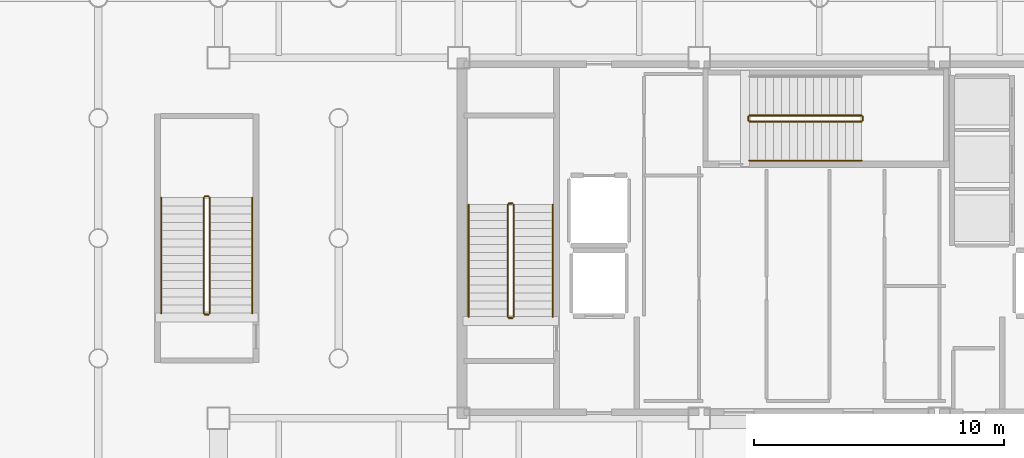
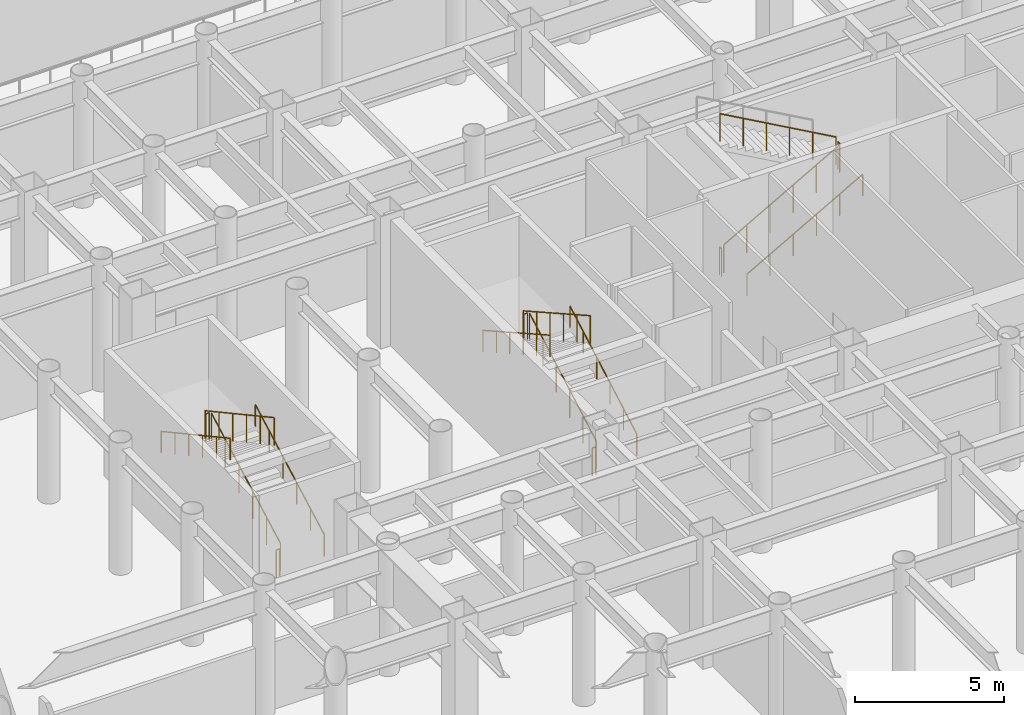
# One storey, part 13 of 16: 17 railings.
"""IFC4 building model written with IfcOpenShell, lengths in metres."""

from ifc_helpers import new_model, si_unit, direction, frame, origin, origin_2d, place, context, subcontext, project, spatial, circle, extrude, material, layer, layer_set, type_object, element, save


model = new_model("IFC4")

# Units and contexts
model_context = context("Model", 3, precision=1e-05, world=origin(), true_north=direction((0.0, 1.0)))
body_context = subcontext(model_context, "Body", "Model", "MODEL_VIEW")
ifc_project = project(units=[si_unit("LENGTHUNIT", "METRE"), si_unit("AREAUNIT", "SQUARE_METRE"), si_unit("VOLUMEUNIT", "CUBIC_METRE"), si_unit("PLANEANGLEUNIT", "RADIAN"), si_unit("MASSUNIT", "GRAM", prefix="KILO")], contexts=[model_context])

# Site, building, storey
site_placement = place(None, origin())
site = spatial("IfcSite", under=ifc_project, at=site_placement, CompositionType="ELEMENT")
building_placement = place(site_placement, origin())
building = spatial("IfcBuilding", under=site, at=building_placement, Name="Kallvorn Hotel Tower", CompositionType="ELEMENT")
storey_placement = place(building_placement, frame((0.0, 0.0, -5.39990234375)))
storey = spatial("IfcBuildingStorey", under=building, at=storey_placement, Name="B1", CompositionType="ELEMENT", Elevation=-5.39990234375)

# Railings
ifc_material_1 = material(Name="Brushed stainless-steel tubular railing", Category="steel")
ifc_layer_1 = layer(ifc_material_1, 0.050048828125)
ifc_layer_set_1 = layer_set([ifc_layer_1], Name="RL_STAIR_GUARD")
railing_type_1 = type_object("IfcRailingType", Name="RL_STAIR_GUARD", PredefinedType="GUARDRAIL", material=ifc_layer_set_1)
railing_1_placement = place(storey_placement, frame((-12.2099609375, -3.139892578125, 0.179931640625)))
element("IfcRailing", 1, at=railing_1_placement, inside=storey, type_object=railing_type_1, Name="B1 ST1 stair guard 1", PredefinedType="GUARDRAIL", context=body_context, shape_type="SweptSolid", body=[
    extrude(circle(Radius=0.02392578125, at=origin_2d()), frame((0.0, 0.0, 1.1259765625), z_axis=(0.0, 0.871573000172, 0.490265749743), x_axis=(-1.0, 0.0, 0.0)), (0.0, 0.0, 1.0), 5.14013671875),
    extrude(circle(Radius=0.02099609375, at=origin_2d()), origin(), (0.0, 0.0, 1.0), 1.101806640625),
    extrude(circle(Radius=0.02099609375, at=origin_2d()), frame((0.0, 0.89599609375, 0.50390625)), (0.0, 0.0, 1.0), 1.101806640625),
    extrude(circle(Radius=0.02099609375, at=origin_2d()), frame((0.0, 1.7919921875, 1.008056640625)), (0.0, 0.0, 1.0), 1.101806640625),
    extrude(circle(Radius=0.02099609375, at=origin_2d()), frame((0.0, 2.68798828125, 1.511962890625)), (0.0, 0.0, 1.0), 1.101806640625),
    extrude(circle(Radius=0.02099609375, at=origin_2d()), frame((0.0, 3.583984375, 2.01611328125)), (0.0, 0.0, 1.0), 1.101806640625),
    extrude(circle(Radius=0.02099609375, at=origin_2d()), frame((0.0, 4.47998046875, 2.52001953125)), (0.0, 0.0, 1.0), 1.101806640625),
])
railing_2_placement = place(storey_placement, frame((-12.260009765625, 1.389892578125, 2.699951171875)))
element("IfcRailing", 2, at=railing_2_placement, inside=storey, type_object=railing_type_1, Name="B1 ST1 stair guard 2", PredefinedType="GUARDRAIL", context=body_context, shape_type="SweptSolid", body=[
    extrude(circle(Radius=0.02392578125, at=origin_2d()), frame((0.0, 0.0, 1.1259765625), z_axis=(-1.0, 0.0, 0.0), x_axis=(0.0, -1.0, 0.0)), (0.0, 0.0, 1.0), 0.139892578125),
    extrude(circle(Radius=0.02099609375, at=origin_2d()), origin(), (0.0, 0.0, 1.0), 1.101806640625),
    extrude(circle(Radius=0.02099609375, at=origin_2d()), frame((-0.139892578125, 0.0, 0.0)), (0.0, 0.0, 1.0), 1.101806640625),
])
railing_3_placement = place(storey_placement, frame((-12.449951171875, 1.340087890625, 2.8798828125)))
element("IfcRailing", 3, at=railing_3_placement, inside=storey, type_object=railing_type_1, Name="B1 ST1 stair guard 3", PredefinedType="GUARDRAIL", context=body_context, shape_type="SweptSolid", body=[
    extrude(circle(Radius=0.02392578125, at=origin_2d()), frame((0.0, 0.0, 1.1259765625), z_axis=(0.0, -0.871573000172, 0.490265749743), x_axis=(1.0, 0.0, 0.0)), (0.0, 0.0, 1.0), 5.14013671875),
    extrude(circle(Radius=0.02099609375, at=origin_2d()), origin(), (0.0, 0.0, 1.0), 1.101806640625),
    extrude(circle(Radius=0.02099609375, at=origin_2d()), frame((0.0, -0.89599609375, 0.50390625)), (0.0, 0.0, 1.0), 1.101806640625),
    extrude(circle(Radius=0.02099609375, at=origin_2d()), frame((0.0, -1.7919921875, 1.008056640625)), (0.0, 0.0, 1.0), 1.101806640625),
    extrude(circle(Radius=0.02099609375, at=origin_2d()), frame((0.0, -2.68798828125, 1.511962890625)), (0.0, 0.0, 1.0), 1.101806640625),
    extrude(circle(Radius=0.02099609375, at=origin_2d()), frame((0.0, -3.583984375, 2.01611328125)), (0.0, 0.0, 1.0), 1.101806640625),
    extrude(circle(Radius=0.02099609375, at=origin_2d()), frame((0.0, -4.47998046875, 2.52001953125)), (0.0, 0.0, 1.0), 1.101806640625),
])
railing_4_placement = place(storey_placement, frame((-12.260009765625, -3.18994140625, 0.0)))
element("IfcRailing", 4, at=railing_4_placement, inside=storey, type_object=railing_type_1, Name="B1 ST1 stair guard 4", PredefinedType="GUARDRAIL", context=body_context, shape_type="SweptSolid", body=[
    extrude(circle(Radius=0.02392578125, at=origin_2d()), frame((0.0, 0.0, 1.1259765625), z_axis=(-1.0, 0.0, 0.0), x_axis=(0.0, -1.0, 0.0)), (0.0, 0.0, 1.0), 0.139892578125),
    extrude(circle(Radius=0.02099609375, at=origin_2d()), origin(), (0.0, 0.0, 1.0), 1.101806640625),
    extrude(circle(Radius=0.02099609375, at=origin_2d()), frame((-0.139892578125, 0.0, 0.0)), (0.0, 0.0, 1.0), 1.101806640625),
])
railing_5_placement = place(storey_placement, frame((-2.7900390625, 4.659912109375, 0.179931640625)))
element("IfcRailing", 5, at=railing_5_placement, inside=storey, type_object=railing_type_1, Name="B1 ST3 stair guard 1", PredefinedType="GUARDRAIL", context=body_context, shape_type="SweptSolid", body=[
    extrude(circle(Radius=0.02392578125, at=origin_2d()), frame((0.0, 0.0, 1.1259765625), z_axis=(0.871573000172, 0.0, 0.490265749743), x_axis=(0.0, 1.0, 0.0)), (0.0, 0.0, 1.0), 5.14013671875),
    extrude(circle(Radius=0.02099609375, at=origin_2d()), origin(), (0.0, 0.0, 1.0), 1.101806640625),
    extrude(circle(Radius=0.02099609375, at=origin_2d()), frame((0.89599609375, 0.0, 0.50390625)), (0.0, 0.0, 1.0), 1.101806640625),
    extrude(circle(Radius=0.02099609375, at=origin_2d()), frame((1.7919921875, 0.0, 1.008056640625)), (0.0, 0.0, 1.0), 1.101806640625),
    extrude(circle(Radius=0.02099609375, at=origin_2d()), frame((2.68798828125, 0.0, 1.511962890625)), (0.0, 0.0, 1.0), 1.101806640625),
    extrude(circle(Radius=0.02099609375, at=origin_2d()), frame((3.583984375, 0.0, 2.01611328125)), (0.0, 0.0, 1.0), 1.101806640625),
    extrude(circle(Radius=0.02099609375, at=origin_2d()), frame((4.47998046875, 0.0, 2.52001953125)), (0.0, 0.0, 1.0), 1.101806640625),
])
railing_6_placement = place(storey_placement, frame((1.739990234375, 4.7099609375, 2.699951171875)))
element("IfcRailing", 6, at=railing_6_placement, inside=storey, type_object=railing_type_1, Name="B1 ST3 stair guard 2", PredefinedType="GUARDRAIL", context=body_context, shape_type="SweptSolid", body=[
    extrude(circle(Radius=0.02392578125, at=origin_2d()), frame((0.0, 0.0, 1.1259765625), z_axis=(0.0, 1.0, 0.0), x_axis=(-1.0, 0.0, 0.0)), (0.0, 0.0, 1.0), 0.14013671875),
    extrude(circle(Radius=0.02099609375, at=origin_2d()), origin(), (0.0, 0.0, 1.0), 1.101806640625),
    extrude(circle(Radius=0.02099609375, at=origin_2d()), frame((0.0, 0.14013671875, 0.0)), (0.0, 0.0, 1.0), 1.101806640625),
])
railing_7_placement = place(storey_placement, frame((1.68994140625, 4.89990234375, 2.8798828125)))
element("IfcRailing", 7, at=railing_7_placement, inside=storey, type_object=railing_type_1, Name="B1 ST3 stair guard 3", PredefinedType="GUARDRAIL", context=body_context, shape_type="SweptSolid", body=[
    extrude(circle(Radius=0.02392578125, at=origin_2d()), frame((0.0, 0.0, 1.1259765625), z_axis=(-0.871573000172, 0.0, 0.490265749743), x_axis=(0.0, -1.0, 0.0)), (0.0, 0.0, 1.0), 5.14013671875),
    extrude(circle(Radius=0.02099609375, at=origin_2d()), origin(), (0.0, 0.0, 1.0), 1.101806640625),
    extrude(circle(Radius=0.02099609375, at=origin_2d()), frame((-0.89599609375, 0.0, 0.50390625)), (0.0, 0.0, 1.0), 1.101806640625),
    extrude(circle(Radius=0.02099609375, at=origin_2d()), frame((-1.7919921875, 0.0, 1.008056640625)), (0.0, 0.0, 1.0), 1.101806640625),
    extrude(circle(Radius=0.02099609375, at=origin_2d()), frame((-2.68798828125, 0.0, 1.511962890625)), (0.0, 0.0, 1.0), 1.101806640625),
    extrude(circle(Radius=0.02099609375, at=origin_2d()), frame((-3.583984375, 0.0, 2.01611328125)), (0.0, 0.0, 1.0), 1.101806640625),
    extrude(circle(Radius=0.02099609375, at=origin_2d()), frame((-4.47998046875, 0.0, 2.52001953125)), (0.0, 0.0, 1.0), 1.101806640625),
])
railing_8_placement = place(storey_placement, frame((-2.840087890625, 4.7099609375, 0.0)))
element("IfcRailing", 8, at=railing_8_placement, inside=storey, type_object=railing_type_1, Name="B1 ST3 stair guard 4", PredefinedType="GUARDRAIL", context=body_context, shape_type="SweptSolid", body=[
    extrude(circle(Radius=0.02392578125, at=origin_2d()), frame((0.0, 0.0, 1.1259765625), z_axis=(0.0, 1.0, 0.0), x_axis=(-1.0, 0.0, 0.0)), (0.0, 0.0, 1.0), 0.14013671875),
    extrude(circle(Radius=0.02099609375, at=origin_2d()), origin(), (0.0, 0.0, 1.0), 1.101806640625),
    extrude(circle(Radius=0.02099609375, at=origin_2d()), frame((0.0, 0.14013671875, 0.0)), (0.0, 0.0, 1.0), 1.101806640625),
])
railing_9_placement = place(storey_placement, frame((-24.35009765625, -3.0, 0.179931640625)))
element("IfcRailing", 9, at=railing_9_placement, inside=storey, type_object=railing_type_1, Name="B1 ST4 stair guard 1", PredefinedType="GUARDRAIL", context=body_context, shape_type="SweptSolid", body=[
    extrude(circle(Radius=0.02392578125, at=origin_2d()), frame((0.0, 0.0, 1.1259765625), z_axis=(0.0, 0.877899118682, 0.478845630049), x_axis=(-1.0, 0.0, 0.0)), (0.0, 0.0, 1.0), 5.2626953125),
    extrude(circle(Radius=0.02099609375, at=origin_2d()), origin(), (0.0, 0.0, 1.0), 1.101806640625),
    extrude(circle(Radius=0.02099609375, at=origin_2d()), frame((0.0, 0.924072265625, 0.50390625)), (0.0, 0.0, 1.0), 1.101806640625),
    extrude(circle(Radius=0.02099609375, at=origin_2d()), frame((0.0, 1.84814453125, 1.008056640625)), (0.0, 0.0, 1.0), 1.101806640625),
    extrude(circle(Radius=0.02099609375, at=origin_2d()), frame((0.0, 2.77197265625, 1.511962890625)), (0.0, 0.0, 1.0), 1.101806640625),
    extrude(circle(Radius=0.02099609375, at=origin_2d()), frame((0.0, 3.696044921875, 2.01611328125)), (0.0, 0.0, 1.0), 1.101806640625),
    extrude(circle(Radius=0.02099609375, at=origin_2d()), frame((0.0, 4.6201171875, 2.52001953125)), (0.0, 0.0, 1.0), 1.101806640625),
])
railing_10_placement = place(storey_placement, frame((-24.39990234375, 1.669921875, 2.699951171875)))
element("IfcRailing", 10, at=railing_10_placement, inside=storey, type_object=railing_type_1, Name="B1 ST4 stair guard 2", PredefinedType="GUARDRAIL", context=body_context, shape_type="SweptSolid", body=[
    extrude(circle(Radius=0.02392578125, at=origin_2d()), frame((0.0, 0.0, 1.1259765625), z_axis=(-1.0, 0.0, 0.0), x_axis=(0.0, -1.0, 0.0)), (0.0, 0.0, 1.0), 0.14013671875),
    extrude(circle(Radius=0.02099609375, at=origin_2d()), origin(), (0.0, 0.0, 1.0), 1.101806640625),
    extrude(circle(Radius=0.02099609375, at=origin_2d()), frame((-0.14013671875, 0.0, 0.0)), (0.0, 0.0, 1.0), 1.101806640625),
])
railing_11_placement = place(storey_placement, frame((-24.590087890625, 1.6201171875, 2.8798828125)))
element("IfcRailing", 11, at=railing_11_placement, inside=storey, type_object=railing_type_1, Name="B1 ST4 stair guard 3", PredefinedType="GUARDRAIL", context=body_context, shape_type="SweptSolid", body=[
    extrude(circle(Radius=0.02392578125, at=origin_2d()), frame((0.0, 0.0, 1.1259765625), z_axis=(0.0, -0.877899118682, 0.478845630049), x_axis=(1.0, 0.0, 0.0)), (0.0, 0.0, 1.0), 5.2626953125),
    extrude(circle(Radius=0.02099609375, at=origin_2d()), origin(), (0.0, 0.0, 1.0), 1.101806640625),
    extrude(circle(Radius=0.02099609375, at=origin_2d()), frame((0.0, -0.924072265625, 0.50390625)), (0.0, 0.0, 1.0), 1.101806640625),
    extrude(circle(Radius=0.02099609375, at=origin_2d()), frame((0.0, -1.84814453125, 1.008056640625)), (0.0, 0.0, 1.0), 1.101806640625),
    extrude(circle(Radius=0.02099609375, at=origin_2d()), frame((0.0, -2.77197265625, 1.511962890625)), (0.0, 0.0, 1.0), 1.101806640625),
    extrude(circle(Radius=0.02099609375, at=origin_2d()), frame((0.0, -3.696044921875, 2.01611328125)), (0.0, 0.0, 1.0), 1.101806640625),
    extrude(circle(Radius=0.02099609375, at=origin_2d()), frame((0.0, -4.6201171875, 2.52001953125)), (0.0, 0.0, 1.0), 1.101806640625),
])
railing_12_placement = place(storey_placement, frame((-24.39990234375, -3.050048828125, 0.0)))
element("IfcRailing", 12, at=railing_12_placement, inside=storey, type_object=railing_type_1, Name="B1 ST4 stair guard 4", PredefinedType="GUARDRAIL", context=body_context, shape_type="SweptSolid", body=[
    extrude(circle(Radius=0.02392578125, at=origin_2d()), frame((0.0, 0.0, 1.1259765625), z_axis=(-1.0, 0.0, 0.0), x_axis=(0.0, -1.0, 0.0)), (0.0, 0.0, 1.0), 0.14013671875),
    extrude(circle(Radius=0.02099609375, at=origin_2d()), origin(), (0.0, 0.0, 1.0), 1.101806640625),
    extrude(circle(Radius=0.02099609375, at=origin_2d()), frame((-0.14013671875, 0.0, 0.0)), (0.0, 0.0, 1.0), 1.101806640625),
])
ifc_material_2 = material(Name="Brushed stainless-steel tubular railing", Category="steel")
ifc_layer_2 = layer(ifc_material_2, 0.050048828125)
ifc_layer_set_2 = layer_set([ifc_layer_2], Name="RL_STAIR_HAND")
railing_type_2 = type_object("IfcRailingType", Name="RL_STAIR_HAND", PredefinedType="HANDRAIL", material=ifc_layer_set_2)
railing_13_placement = place(storey_placement, frame((-10.64990234375, -3.139892578125, 0.179931640625)))
element("IfcRailing", 13, at=railing_13_placement, inside=storey, type_object=railing_type_2, Name="B1 ST1 stair handrail 1", PredefinedType="HANDRAIL", context=body_context, shape_type="SweptSolid", body=[
    extrude(circle(Radius=0.02392578125, at=origin_2d()), frame((0.0, 0.0, 0.8759765625), z_axis=(0.0, 0.871573000172, 0.490265749743), x_axis=(-1.0, 0.0, 0.0)), (0.0, 0.0, 1.0), 5.14013671875),
    extrude(circle(Radius=0.02099609375, at=origin_2d()), origin(), (0.0, 0.0, 1.0), 0.851806640625),
    extrude(circle(Radius=0.02099609375, at=origin_2d()), frame((0.0, 0.89599609375, 0.50390625)), (0.0, 0.0, 1.0), 0.851806640625),
    extrude(circle(Radius=0.02099609375, at=origin_2d()), frame((0.0, 1.7919921875, 1.008056640625)), (0.0, 0.0, 1.0), 0.851806640625),
    extrude(circle(Radius=0.02099609375, at=origin_2d()), frame((0.0, 2.68798828125, 1.511962890625)), (0.0, 0.0, 1.0), 0.851806640625),
    extrude(circle(Radius=0.02099609375, at=origin_2d()), frame((0.0, 3.583984375, 2.01611328125)), (0.0, 0.0, 1.0), 0.851806640625),
    extrude(circle(Radius=0.02099609375, at=origin_2d()), frame((0.0, 4.47998046875, 2.52001953125)), (0.0, 0.0, 1.0), 0.851806640625),
])
railing_14_placement = place(storey_placement, frame((-14.010009765625, 1.340087890625, 2.8798828125)))
element("IfcRailing", 14, at=railing_14_placement, inside=storey, type_object=railing_type_2, Name="B1 ST1 stair handrail 2", PredefinedType="HANDRAIL", context=body_context, shape_type="SweptSolid", body=[
    extrude(circle(Radius=0.02392578125, at=origin_2d()), frame((0.0, 0.0, 0.8759765625), z_axis=(0.0, -0.871573000172, 0.490265749743), x_axis=(1.0, 0.0, 0.0)), (0.0, 0.0, 1.0), 5.14013671875),
    extrude(circle(Radius=0.02099609375, at=origin_2d()), origin(), (0.0, 0.0, 1.0), 0.851806640625),
    extrude(circle(Radius=0.02099609375, at=origin_2d()), frame((0.0, -0.89599609375, 0.50390625)), (0.0, 0.0, 1.0), 0.851806640625),
    extrude(circle(Radius=0.02099609375, at=origin_2d()), frame((0.0, -1.7919921875, 1.008056640625)), (0.0, 0.0, 1.0), 0.851806640625),
    extrude(circle(Radius=0.02099609375, at=origin_2d()), frame((0.0, -2.68798828125, 1.511962890625)), (0.0, 0.0, 1.0), 0.851806640625),
    extrude(circle(Radius=0.02099609375, at=origin_2d()), frame((0.0, -3.583984375, 2.01611328125)), (0.0, 0.0, 1.0), 0.851806640625),
    extrude(circle(Radius=0.02099609375, at=origin_2d()), frame((0.0, -4.47998046875, 2.52001953125)), (0.0, 0.0, 1.0), 0.851806640625),
])
railing_15_placement = place(storey_placement, frame((-2.7900390625, 3.10009765625, 0.179931640625)))
element("IfcRailing", 15, at=railing_15_placement, inside=storey, type_object=railing_type_2, Name="B1 ST3 stair handrail 1", PredefinedType="HANDRAIL", context=body_context, shape_type="SweptSolid", body=[
    extrude(circle(Radius=0.02392578125, at=origin_2d()), frame((0.0, 0.0, 0.8759765625), z_axis=(0.871573000172, 0.0, 0.490265749743), x_axis=(0.0, 1.0, 0.0)), (0.0, 0.0, 1.0), 5.14013671875),
    extrude(circle(Radius=0.02099609375, at=origin_2d()), origin(), (0.0, 0.0, 1.0), 0.851806640625),
    extrude(circle(Radius=0.02099609375, at=origin_2d()), frame((0.89599609375, 0.0, 0.50390625)), (0.0, 0.0, 1.0), 0.851806640625),
    extrude(circle(Radius=0.02099609375, at=origin_2d()), frame((1.7919921875, 0.0, 1.008056640625)), (0.0, 0.0, 1.0), 0.851806640625),
    extrude(circle(Radius=0.02099609375, at=origin_2d()), frame((2.68798828125, 0.0, 1.511962890625)), (0.0, 0.0, 1.0), 0.851806640625),
    extrude(circle(Radius=0.02099609375, at=origin_2d()), frame((3.583984375, 0.0, 2.01611328125)), (0.0, 0.0, 1.0), 0.851806640625),
    extrude(circle(Radius=0.02099609375, at=origin_2d()), frame((4.47998046875, 0.0, 2.52001953125)), (0.0, 0.0, 1.0), 0.851806640625),
])
railing_16_placement = place(storey_placement, frame((-22.64990234375, -3.0, 0.179931640625)))
element("IfcRailing", 16, at=railing_16_placement, inside=storey, type_object=railing_type_2, Name="B1 ST4 stair handrail 1", PredefinedType="HANDRAIL", context=body_context, shape_type="SweptSolid", body=[
    extrude(circle(Radius=0.02392578125, at=origin_2d()), frame((0.0, 0.0, 0.8759765625), z_axis=(0.0, 0.877899118682, 0.478845630049), x_axis=(-1.0, 0.0, 0.0)), (0.0, 0.0, 1.0), 5.2626953125),
    extrude(circle(Radius=0.02099609375, at=origin_2d()), origin(), (0.0, 0.0, 1.0), 0.851806640625),
    extrude(circle(Radius=0.02099609375, at=origin_2d()), frame((0.0, 0.924072265625, 0.50390625)), (0.0, 0.0, 1.0), 0.851806640625),
    extrude(circle(Radius=0.02099609375, at=origin_2d()), frame((0.0, 1.84814453125, 1.008056640625)), (0.0, 0.0, 1.0), 0.851806640625),
    extrude(circle(Radius=0.02099609375, at=origin_2d()), frame((0.0, 2.77197265625, 1.511962890625)), (0.0, 0.0, 1.0), 0.851806640625),
    extrude(circle(Radius=0.02099609375, at=origin_2d()), frame((0.0, 3.696044921875, 2.01611328125)), (0.0, 0.0, 1.0), 0.851806640625),
    extrude(circle(Radius=0.02099609375, at=origin_2d()), frame((0.0, 4.6201171875, 2.52001953125)), (0.0, 0.0, 1.0), 0.851806640625),
])
railing_17_placement = place(storey_placement, frame((-26.2900390625, 1.6201171875, 2.8798828125)))
element("IfcRailing", 17, at=railing_17_placement, inside=storey, type_object=railing_type_2, Name="B1 ST4 stair handrail 2", PredefinedType="HANDRAIL", context=body_context, shape_type="SweptSolid", body=[
    extrude(circle(Radius=0.02392578125, at=origin_2d()), frame((0.0, 0.0, 0.8759765625), z_axis=(0.0, -0.877899118682, 0.478845630049), x_axis=(1.0, 0.0, 0.0)), (0.0, 0.0, 1.0), 5.2626953125),
    extrude(circle(Radius=0.02099609375, at=origin_2d()), origin(), (0.0, 0.0, 1.0), 0.851806640625),
    extrude(circle(Radius=0.02099609375, at=origin_2d()), frame((0.0, -0.924072265625, 0.50390625)), (0.0, 0.0, 1.0), 0.851806640625),
    extrude(circle(Radius=0.02099609375, at=origin_2d()), frame((0.0, -1.84814453125, 1.008056640625)), (0.0, 0.0, 1.0), 0.851806640625),
    extrude(circle(Radius=0.02099609375, at=origin_2d()), frame((0.0, -2.77197265625, 1.511962890625)), (0.0, 0.0, 1.0), 0.851806640625),
    extrude(circle(Radius=0.02099609375, at=origin_2d()), frame((0.0, -3.696044921875, 2.01611328125)), (0.0, 0.0, 1.0), 0.851806640625),
    extrude(circle(Radius=0.02099609375, at=origin_2d()), frame((0.0, -4.6201171875, 2.52001953125)), (0.0, 0.0, 1.0), 0.851806640625),
])

save(model, "model.ifc")
